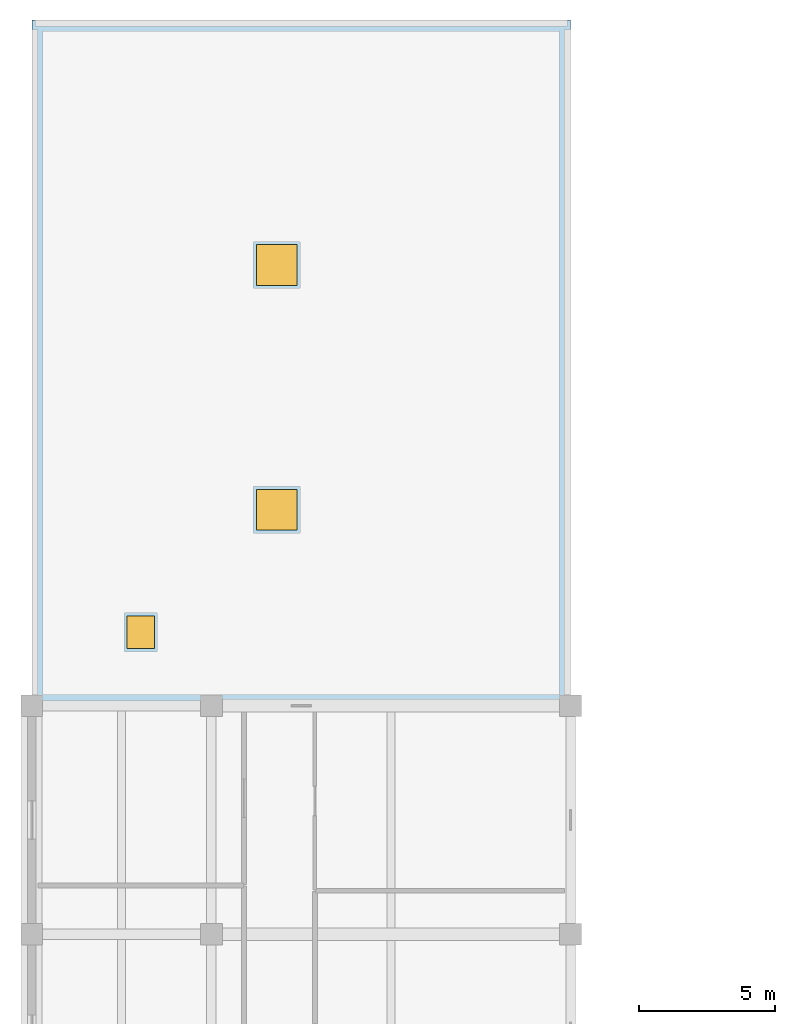
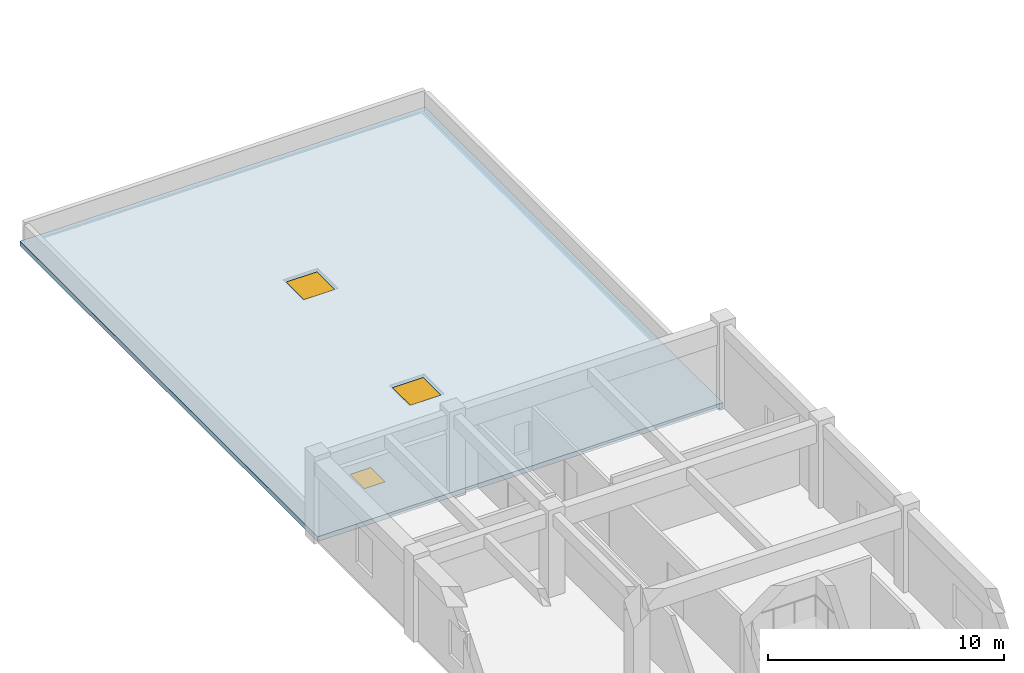
# One storey, part 39 of 54: 2 windows, 1 door, 1 slab, 3 openings.
"""IFC4 building model written with IfcOpenShell, lengths in metres."""

from ifc_helpers import new_model, si_unit, direction, frame, origin, origin_2d, place, context, subcontext, project, spatial, polyline, rectangle, outline, extrude, material, layer, layer_set, type_object, element, fill, save


model = new_model("IFC4")

# Units and contexts
model_context = context("Model", 3, precision=1e-05, world=origin(), true_north=direction((0.0, 1.0)))
body_context = subcontext(model_context, "Body", "Model", "MODEL_VIEW")
ifc_project = project(units=[si_unit("LENGTHUNIT", "METRE"), si_unit("AREAUNIT", "SQUARE_METRE"), si_unit("VOLUMEUNIT", "CUBIC_METRE"), si_unit("PLANEANGLEUNIT", "RADIAN"), si_unit("MASSUNIT", "GRAM", prefix="KILO")], contexts=[model_context])

# Site, building, storey
site_placement = place(None, origin())
site = spatial("IfcSite", under=ifc_project, at=site_placement, CompositionType="ELEMENT")
building_placement = place(site_placement, origin())
building = spatial("IfcBuilding", under=site, at=building_placement, Name="Miralva Faculty of Natural Sciences", CompositionType="ELEMENT")
storey_placement = place(building_placement, frame((0.0, 0.0, 19.5)))
storey = spatial("IfcBuildingStorey", under=building, at=storey_placement, Name="L04", CompositionType="ELEMENT", Elevation=19.5)

# Slab, openings, door, windows
ifc_material_1 = material(Name="Concrete C40/50", Category="concrete")
ifc_layer = layer(ifc_material_1, 0.25, Name="SL-RF01")
ifc_layer_set = layer_set([ifc_layer], Name="Concrete C40/50")
slab_type = type_object("IfcSlabType", Name="SL-RF01", PredefinedType="ROOF", material=ifc_layer_set)
slab_placement = place(storey_placement, frame((0.0, 0.0, -0.25)))
slab = element("IfcSlab", 1, at=slab_placement, inside=storey, type_object=slab_type, Name="North-West Laboratory Maintenance Roof", PredefinedType="ROOF", context=body_context, shape_type="SweptSolid", body=[
    extrude(outline(polyline([(22.800048828125, 91.800048828125), (3.0, 91.800048828125), (3.0, 117.0), (22.800048828125, 117.0), (22.800048828125, 91.800048828125)])), origin(), (0.0, 0.0, 1.0), 0.25),
])
opening_1_placement = place(slab_placement, frame((12.0, 99.0, 0.0)))
opening_1 = element("IfcOpeningElement", 2, at=opening_1_placement, cuts=slab, Name="Opening SK-04", PredefinedType="OPENING", context=body_context, shape_type="SweptSolid", body=[
    extrude(rectangle(XDim=1.5, YDim=1.5, at=origin_2d()), frame((0.0, 0.0, -0.010009765625)), (0.0, 0.0, 1.0), 0.27001953125),
])
opening_2_placement = place(slab_placement, frame((12.0, 108.0, 0.0)))
opening_2 = element("IfcOpeningElement", 3, at=opening_2_placement, cuts=slab, Name="Opening SK-04", PredefinedType="OPENING", context=body_context, shape_type="SweptSolid", body=[
    extrude(rectangle(XDim=1.5, YDim=1.5, at=origin_2d()), frame((0.0, 0.0, -0.010009765625)), (0.0, 0.0, 1.0), 0.27001953125),
])
opening_3_placement = place(slab_placement, frame((7.0, 94.5, 0.0)))
opening_3 = element("IfcOpeningElement", 4, at=opening_3_placement, cuts=slab, Name="Opening D-08", PredefinedType="OPENING", context=body_context, shape_type="SweptSolid", body=[
    extrude(rectangle(XDim=1.0, YDim=1.199951171875, at=origin_2d()), frame((0.0, 0.0, -0.010009765625)), (0.0, 0.0, 1.0), 0.27001953125),
])
ifc_material_2 = material(Name="Galvanised steel", Category="steel")
door_type = type_object("IfcDoorType", Name="DR-HT01", OperationType="SINGLE_SWING_LEFT", PredefinedType="TRAPDOOR", material=ifc_material_2)
door_placement = place(opening_3_placement, frame((0.0, 0.0, 0.199951171875)))
door = element("IfcDoor", 5, at=door_placement, inside=storey, type_object=door_type, Name="Roof opening D-08 L04-15", OperationType="SINGLE_SWING_LEFT", OverallHeight=1.199951171875, OverallWidth=1.0, PredefinedType="TRAPDOOR", context=body_context, shape_type="SweptSolid", body=[
    extrude(rectangle(XDim=1.0, YDim=1.199951171875, at=origin_2d()), origin(), (0.0, 0.0, 1.0), 0.050048828125),
])
fill(opening_3, door)
ifc_material_3 = material(Name="Laminated solar-control glass", Category="glass")
window_type = type_object("IfcWindowType", Name="WN-LDM1", PartitioningType="SINGLE_PANEL", PredefinedType="LIGHTDOME", material=ifc_material_3)
window_1_placement = place(opening_1_placement, frame((0.0, 0.0, 0.199951171875)))
window_1 = element("IfcWindow", 6, at=window_1_placement, inside=storey, type_object=window_type, Name="Roof opening SK-04 L04-7", OverallHeight=1.5, OverallWidth=1.5, PartitioningType="SINGLE_PANEL", PredefinedType="LIGHTDOME", context=body_context, shape_type="SweptSolid", body=[
    extrude(rectangle(XDim=1.5, YDim=1.5, at=origin_2d()), origin(), (0.0, 0.0, 1.0), 0.050048828125),
])
fill(opening_1, window_1)
window_2_placement = place(opening_2_placement, frame((0.0, 0.0, 0.199951171875)))
window_2 = element("IfcWindow", 7, at=window_2_placement, inside=storey, type_object=window_type, Name="Roof opening SK-04 L04-8", OverallHeight=1.5, OverallWidth=1.5, PartitioningType="SINGLE_PANEL", PredefinedType="LIGHTDOME", context=body_context, shape_type="SweptSolid", body=[
    extrude(rectangle(XDim=1.5, YDim=1.5, at=origin_2d()), origin(), (0.0, 0.0, 1.0), 0.050048828125),
])
fill(opening_2, window_2)

save(model, "model.ifc")
